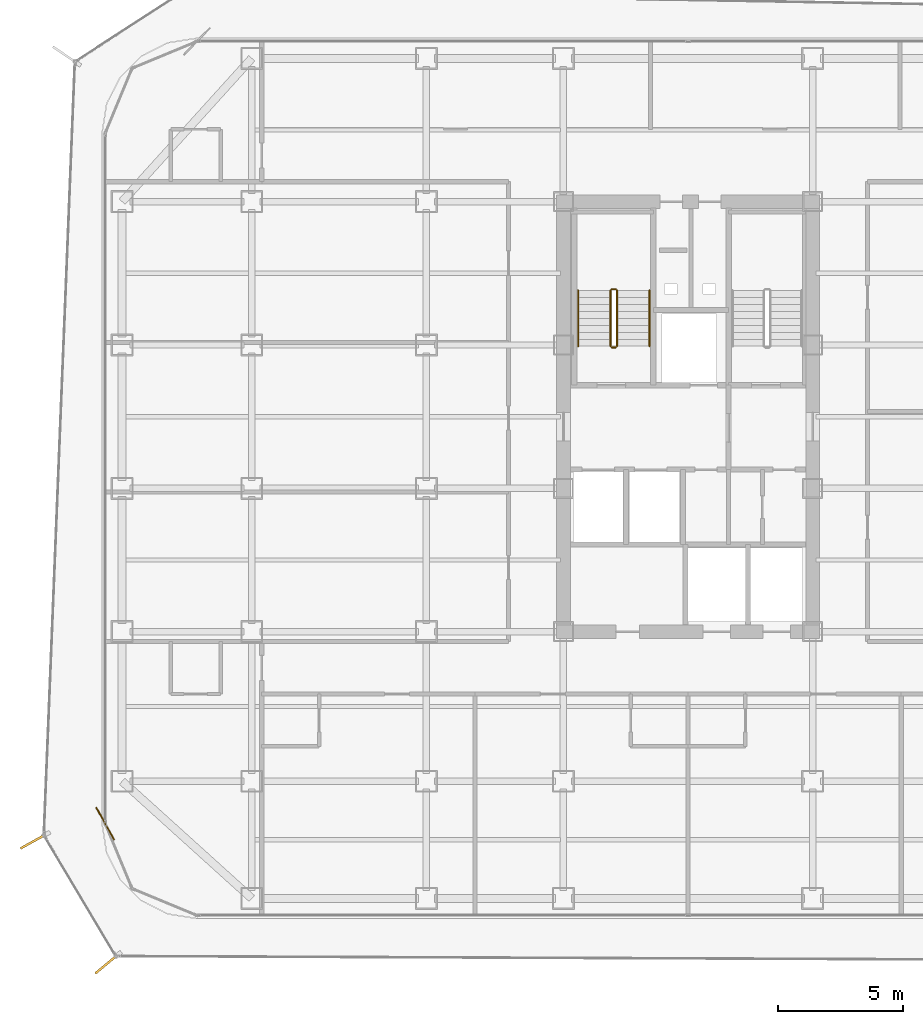
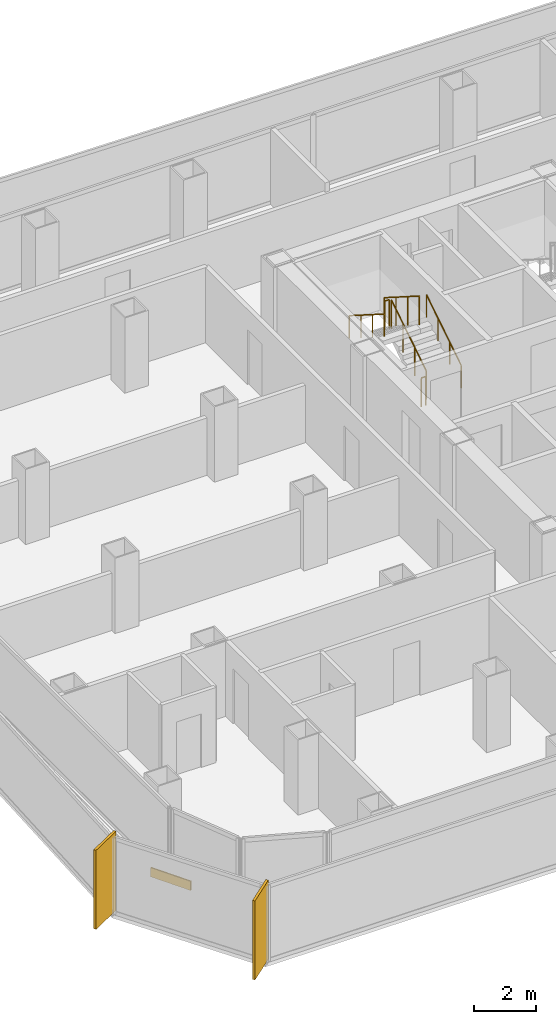
# One storey, part 19 of 21: 6 railings, 2 shading devices, 1 covering.
"""IFC4 building model written with IfcOpenShell, lengths in metres."""

import ifcopenshell
import ifcopenshell.guid

model = None  # the IFC model being written
_history = None  # IfcOwnerHistory: only IFC2X3 demands one
_inside = {}  # id of a spatial element -> (the spatial element, [elements in it])
_under = {}  # id of a project, library or spatial element -> (it, [spatial elements below it])
_declared = {}  # id of a project -> (the project, [libraries it declares])
_typed = {}  # id of a type object -> (the type object, [elements of that type])
_made_of = {}  # id of a material, layer set ... -> (it, [elements and type objects made of it])


def new_model(schema):
    """Start an empty IFC model of exactly this schema.

    Asked for "IFC4X3", IfcOpenShell would pick the latest addendum, in which some entities
    have other attributes; the version numbers below select the first issue.
    IFC2X3 requires an IfcOwnerHistory on every rooted entity: one is made here for all.
    """
    global model, _history
    if schema == "IFC4X3":
        model = ifcopenshell.file(schema_version=(4, 3, 0, 0))
    else:
        model = ifcopenshell.file(schema=schema)
    _inside.clear()
    _under.clear()
    _declared.clear()
    _typed.clear()
    _made_of.clear()
    _history = None
    if model.schema == "IFC2X3":
        org = make("IfcOrganization", Name="unknown")
        user = make(
            "IfcPersonAndOrganization",
            ThePerson=make("IfcPerson", FamilyName="unknown"),
            TheOrganization=org,
        )
        app = make(
            "IfcApplication",
            ApplicationDeveloper=org,
            Version="unknown",
            ApplicationFullName="unknown",
            ApplicationIdentifier="unknown",
        )
        _history = make(
            "IfcOwnerHistory",
            OwningUser=user,
            OwningApplication=app,
            ChangeAction="ADDED",
            CreationDate=0,
        )
    return model


def make(cls, **values):
    """One entity of the class cls with the attributes given. An attribute that is None is left unset."""
    return model.create_entity(
        cls, **{name: value for name, value in values.items() if value is not None}
    )


def rooted(cls, **values):
    """An entity with a GlobalId (a new one), such as an element, a storey or a relation."""
    return make(cls, GlobalId=ifcopenshell.guid.new(), OwnerHistory=_history, **values)


def si_unit(unit_type, name, prefix=None):
    """IfcSIUnit, for example si_unit("LENGTHUNIT", "METRE", prefix="MILLI")."""
    return make("IfcSIUnit", UnitType=unit_type, Prefix=prefix, Name=name)


def assignment(units):
    """IfcUnitAssignment: the units of a project."""
    return None if units is None else make("IfcUnitAssignment", Units=units)


def point(xyz):
    """IfcCartesianPoint."""
    return None if xyz is None else make("IfcCartesianPoint", Coordinates=xyz)


def direction(xyz):
    """IfcDirection."""
    return None if xyz is None else make("IfcDirection", DirectionRatios=xyz)


def frame(location, z_axis=None, x_axis=None):
    """IfcAxis2Placement3D, a coordinate frame: its origin and axes. An axis left out is left unset."""
    return make(
        "IfcAxis2Placement3D",
        Location=point(location),
        Axis=direction(z_axis),
        RefDirection=direction(x_axis),
    )


def frame_2d(location, x_axis=None):
    """IfcAxis2Placement2D, a coordinate frame in the plane: its origin and x axis."""
    return make(
        "IfcAxis2Placement2D", Location=point(location), RefDirection=direction(x_axis)
    )


def origin():
    """The frame at (0, 0, 0) with its axes left unset."""
    return frame((0.0, 0.0, 0.0))


def origin_2d():
    """The frame at (0, 0) in the plane with its x axis left unset."""
    return frame_2d((0.0, 0.0))


def place(relative_to, where):
    """IfcLocalPlacement: puts the frame where relative to a parent placement (None: the world)."""
    return make(
        "IfcLocalPlacement", PlacementRelTo=relative_to, RelativePlacement=where
    )


def context(
    kind, dimensions, precision=None, world=None, true_north=None, identifier=None
):
    """IfcGeometricRepresentationContext, for example the 3D "Model" context."""
    return make(
        "IfcGeometricRepresentationContext",
        ContextIdentifier=identifier,
        ContextType=kind,
        CoordinateSpaceDimension=dimensions,
        Precision=precision,
        WorldCoordinateSystem=world,
        TrueNorth=true_north,
    )


def subcontext(parent, identifier, kind, view, scale=None):
    """IfcGeometricRepresentationSubContext, for example "Body" below "Model"."""
    return make(
        "IfcGeometricRepresentationSubContext",
        ContextIdentifier=identifier,
        ContextType=kind,
        ParentContext=parent,
        TargetScale=scale,
        TargetView=view,
    )


def project(units=None, contexts=None):
    """IfcProject with its units and contexts."""
    return rooted(
        "IfcProject",
        Name="project",
        RepresentationContexts=contexts,
        UnitsInContext=assignment(units),
    )


def spatial(cls, under=None, at=None, **own):
    """A site, building, storey or space (cls), placed at a placement, below another one or the project."""
    s = rooted(cls, ObjectPlacement=at, **own)
    if under is not None:
        _under.setdefault(under.id(), (under, []))[1].append(s)
    return s


def profile(cls, at=None, kind="AREA", **sizes):
    """A parametric profile (cls). Its sizes go by their IFC names, for example OverallWidth=200.0."""
    return make(cls, ProfileType=kind, Position=at, **sizes)


def rectangle(**sizes):
    """IfcRectangleProfileDef."""
    return profile("IfcRectangleProfileDef", **sizes)


def circle(**sizes):
    """IfcCircleProfileDef."""
    return profile("IfcCircleProfileDef", **sizes)


def extrude(swept, where, along, depth):
    """IfcExtrudedAreaSolid: the profile swept, set in the frame where, extruded along a direction by depth."""
    return make(
        "IfcExtrudedAreaSolid",
        SweptArea=swept,
        Position=where,
        ExtrudedDirection=direction(along),
        Depth=depth,
    )


def shape(context_of_items, identifier, shape_type, items):
    """IfcShapeRepresentation: the items that make up one representation, for example the "Body"."""
    return make(
        "IfcShapeRepresentation",
        ContextOfItems=context_of_items,
        RepresentationIdentifier=identifier,
        RepresentationType=shape_type,
        Items=items,
    )


def source(mapping_origin, context_of_items, identifier, shape_type, items):
    """IfcRepresentationMap: a shape defined once, which mapped items show again and again."""
    return make(
        "IfcRepresentationMap",
        MappingOrigin=mapping_origin,
        MappedRepresentation=shape(context_of_items, identifier, shape_type, items),
    )


def transform(
    local_origin,
    x_axis=None,
    y_axis=None,
    z_axis=None,
    scale=None,
    scale2=None,
    scale3=None,
    uniform=True,
):
    """IfcCartesianTransformationOperator3D, or its non-uniform kind. x_axis, y_axis, z_axis: its Axis1, 2, 3."""
    if uniform:
        return make(
            "IfcCartesianTransformationOperator3D",
            Axis1=direction(x_axis),
            Axis2=direction(y_axis),
            LocalOrigin=point(local_origin),
            Scale=scale,
            Axis3=direction(z_axis),
        )
    return make(
        "IfcCartesianTransformationOperator3DnonUniform",
        Axis1=direction(x_axis),
        Axis2=direction(y_axis),
        LocalOrigin=point(local_origin),
        Scale=scale,
        Axis3=direction(z_axis),
        Scale2=scale2,
        Scale3=scale3,
    )


def mapped(mapping_source, mapping_target):
    """IfcMappedItem: shows the shape of a source again, moved by a transform."""
    return make(
        "IfcMappedItem", MappingSource=mapping_source, MappingTarget=mapping_target
    )


def material(Name=None, Category=None):
    """IfcMaterial."""
    return make("IfcMaterial", Name=Name, Category=Category)


def layer(
    of_material, thickness, ventilated=None, Name=None, Category=None, Priority=None
):
    """IfcMaterialLayer: one layer of a wall or slab, of a material (None: an air gap)."""
    return make(
        "IfcMaterialLayer",
        Material=of_material,
        LayerThickness=thickness,
        IsVentilated=ventilated,
        Name=Name,
        Category=Category,
        Priority=Priority,
    )


def layer_set(layers, Name=None):
    """IfcMaterialLayerSet."""
    return make("IfcMaterialLayerSet", MaterialLayers=layers, LayerSetName=Name)


def made_of(thing, what):
    """Note that an element or type object is made of a material, layer set ...; save() writes the relation."""
    if what is not None:
        _made_of.setdefault(what.id(), (what, []))[1].append(thing)
    return thing


def type_object(cls, material=None, **own):
    """A type object (cls), such as IfcWallType, which elements share."""
    return made_of(rooted(cls, **own), material)


def element(
    cls,
    number,
    at=None,
    inside=None,
    cuts=None,
    type_object=None,
    material=None,
    context=None,
    identifier="Body",
    shape_type=None,
    held_by="IfcProductDefinitionShape",
    body=None,
    shapes=None,
    **own,
):
    """One element of the class cls, such as IfcWall. Its Tag is "e" and its number.

    at: its placement. inside: the storey or other place that contains it. cuts: it is an
    opening in that element (IfcRelVoidsElement). A single representation is given by context,
    identifier, shape_type and body (its items); several are given by shapes. held_by: the class
    of the entity that holds the representations. save() writes the other relations.
    """
    e = rooted(cls, Tag="e%d" % number, ObjectPlacement=at, **own)
    if body is not None:
        shapes = [shape(context, identifier, shape_type, body)]
    if shapes is not None:
        e.Representation = make(held_by, Representations=shapes)
    if inside is not None:
        _inside.setdefault(inside.id(), (inside, []))[1].append(e)
    if cuts is not None:
        rooted(
            "IfcRelVoidsElement", RelatingBuildingElement=cuts, RelatedOpeningElement=e
        )
    if type_object is not None:
        _typed.setdefault(type_object.id(), (type_object, []))[1].append(e)
    return made_of(e, material)


def aggregate(whole, parts):
    """IfcRelAggregates: a whole, such as a stair, and the parts it consists of."""
    return rooted("IfcRelAggregates", RelatingObject=whole, RelatedObjects=parts)


def save(model, path):
    """Write the relations noted so far, then the file.

    IfcRelAggregates (storeys below a building ...), IfcRelContainedInSpatialStructure (elements
    in a storey), IfcRelDefinesByType, IfcRelAssociatesMaterial and IfcRelDeclares: one each for
    every whole, place, type object, material and project.
    """
    for whole, parts in _under.values():
        aggregate(whole, parts)
    for where, things in _inside.values():
        rooted(
            "IfcRelContainedInSpatialStructure",
            RelatedElements=things,
            RelatingStructure=where,
        )
    for kind, things in _typed.values():
        rooted("IfcRelDefinesByType", RelatedObjects=things, RelatingType=kind)
    for what, things in _made_of.values():
        rooted("IfcRelAssociatesMaterial", RelatedObjects=things, RelatingMaterial=what)
    for by, libraries in _declared.values():
        rooted("IfcRelDeclares", RelatingContext=by, RelatedDefinitions=libraries)
    model.write(path)


model = new_model("IFC4")

# Units and contexts
model_context = context("Model", 3, precision=1e-05, world=origin(), true_north=direction((0.0, 1.0)))
body_context = subcontext(model_context, "Body", "Model", "MODEL_VIEW")
ifc_project = project(units=[si_unit("LENGTHUNIT", "METRE"), si_unit("AREAUNIT", "SQUARE_METRE"), si_unit("VOLUMEUNIT", "CUBIC_METRE"), si_unit("PLANEANGLEUNIT", "RADIAN"), si_unit("MASSUNIT", "GRAM", prefix="KILO")], contexts=[model_context])

# Site, building, storey
site_placement = place(None, origin())
site = spatial("IfcSite", under=ifc_project, at=site_placement, CompositionType="ELEMENT")
building_placement = place(site_placement, origin())
building = spatial("IfcBuilding", under=site, at=building_placement, Name="Kolveth Station Tower", CompositionType="ELEMENT")
storey_placement = place(building_placement, frame((0.0, 0.0, 108.699951171875)))
storey = spatial("IfcBuildingStorey", under=building, at=storey_placement, Name="L29", CompositionType="ELEMENT", Elevation=108.699951171875)

# Railings
ifc_material_1 = material(Name="Painted Steel S355 balustrade", Category="steel")
railing_type_1 = type_object("IfcRailingType", Name="Guard_GR2", PredefinedType="BALUSTRADE", material=ifc_material_1)
railing_1_placement = place(storey_placement, frame((20.64990234375, 22.949951171875, 0.177734375)))
element("IfcRailing", 1, at=railing_1_placement, inside=storey, type_object=railing_type_1, Name="L29 ST1 stair guard 1", PredefinedType="BALUSTRADE", context=body_context, shape_type="SweptSolid", body=[
    extrude(circle(Radius=0.02392578125, at=origin_2d()), frame((0.0, 0.0, 1.1259765625), z_axis=(0.0, 0.84418770128, 0.536047689118), x_axis=(-1.0, 0.0, 0.0)), (0.0, 0.0, 1.0), 2.6533203125),
    extrude(circle(Radius=0.02099609375, at=origin_2d()), origin(), (0.0, 0.0, 1.0), 1.101806640625),
    extrude(circle(Radius=0.02099609375, at=origin_2d()), frame((0.0, 0.74658203125, 0.47412109375)), (0.0, 0.0, 1.0), 1.101806640625),
    extrude(circle(Radius=0.02099609375, at=origin_2d()), frame((0.0, 1.493408203125, 0.9482421875)), (0.0, 0.0, 1.0), 1.101806640625),
    extrude(circle(Radius=0.02099609375, at=origin_2d()), frame((0.0, 2.239990234375, 1.42236328125)), (0.0, 0.0, 1.0), 1.101806640625),
])
railing_2_placement = place(storey_placement, frame((20.60009765625, 25.239990234375, 1.60009765625)))
element("IfcRailing", 2, at=railing_2_placement, inside=storey, type_object=railing_type_1, Name="L29 ST1 stair guard 2", PredefinedType="BALUSTRADE", context=body_context, shape_type="SweptSolid", body=[
    extrude(circle(Radius=0.02392578125, at=origin_2d()), frame((0.0, 0.0, 1.1259765625), z_axis=(-1.0, 0.0, 0.0), x_axis=(0.0, -1.0, 0.0)), (0.0, 0.0, 1.0), 0.16015625),
    extrude(circle(Radius=0.02099609375, at=origin_2d()), origin(), (0.0, 0.0, 1.0), 1.101806640625),
    extrude(circle(Radius=0.02099609375, at=origin_2d()), frame((-0.16015625, 0.0, 0.0)), (0.0, 0.0, 1.0), 1.101806640625),
])
railing_3_placement = place(storey_placement, frame((20.389892578125, 25.18994140625, 1.77783203125)))
element("IfcRailing", 3, at=railing_3_placement, inside=storey, type_object=railing_type_1, Name="L29 ST1 stair guard 3", PredefinedType="BALUSTRADE", context=body_context, shape_type="SweptSolid", body=[
    extrude(circle(Radius=0.02392578125, at=origin_2d()), frame((0.0, 0.0, 1.1259765625), z_axis=(0.0, -0.8442293374, 0.53598211339), x_axis=(1.0, 0.0, 0.0)), (0.0, 0.0, 1.0), 2.6533203125),
    extrude(circle(Radius=0.02099609375, at=origin_2d()), origin(), (0.0, 0.0, 1.0), 1.101806640625),
    extrude(circle(Radius=0.02099609375, at=origin_2d()), frame((0.0, -0.74658203125, 0.47412109375)), (0.0, 0.0, 1.0), 1.101806640625),
    extrude(circle(Radius=0.02099609375, at=origin_2d()), frame((0.0, -1.493408203125, 0.947998046875)), (0.0, 0.0, 1.0), 1.101806640625),
    extrude(circle(Radius=0.02099609375, at=origin_2d()), frame((0.0, -2.239990234375, 1.422119140625)), (0.0, 0.0, 1.0), 1.101806640625),
])
railing_4_placement = place(storey_placement, frame((20.60009765625, 22.89990234375, 0.0)))
element("IfcRailing", 4, at=railing_4_placement, inside=storey, type_object=railing_type_1, Name="L29 ST1 stair guard 4", PredefinedType="BALUSTRADE", context=body_context, shape_type="SweptSolid", body=[
    extrude(circle(Radius=0.02392578125, at=origin_2d()), frame((0.0, 0.0, 1.1259765625), z_axis=(-1.0, 0.0, 0.0), x_axis=(0.0, -1.0, 0.0)), (0.0, 0.0, 1.0), 0.16015625),
    extrude(circle(Radius=0.02099609375, at=origin_2d()), origin(), (0.0, 0.0, 1.0), 1.101806640625),
    extrude(circle(Radius=0.02099609375, at=origin_2d()), frame((-0.16015625, 0.0, 0.0)), (0.0, 0.0, 1.0), 1.101806640625),
])
ifc_material_2 = material(Name="Brushed stainless steel", Category="steel")
railing_type_2 = type_object("IfcRailingType", Name="Handrail_HR1", PredefinedType="HANDRAIL", material=ifc_material_2)
railing_5_placement = place(storey_placement, frame((21.949951171875, 22.949951171875, 0.177734375)))
element("IfcRailing", 5, at=railing_5_placement, inside=storey, type_object=railing_type_2, Name="L29 ST1 stair handrail 1", PredefinedType="HANDRAIL", context=body_context, shape_type="SweptSolid", body=[
    extrude(circle(Radius=0.02392578125, at=origin_2d()), frame((0.0, 0.0, 0.8759765625), z_axis=(0.0, 0.84418770128, 0.536047689118), x_axis=(-1.0, 0.0, 0.0)), (0.0, 0.0, 1.0), 2.6533203125),
    extrude(circle(Radius=0.02099609375, at=origin_2d()), origin(), (0.0, 0.0, 1.0), 0.851806640625),
    extrude(circle(Radius=0.02099609375, at=origin_2d()), frame((0.0, 0.74658203125, 0.47412109375)), (0.0, 0.0, 1.0), 0.851806640625),
    extrude(circle(Radius=0.02099609375, at=origin_2d()), frame((0.0, 1.493408203125, 0.9482421875)), (0.0, 0.0, 1.0), 0.851806640625),
    extrude(circle(Radius=0.02099609375, at=origin_2d()), frame((0.0, 2.239990234375, 1.42236328125)), (0.0, 0.0, 1.0), 0.851806640625),
])
railing_6_placement = place(storey_placement, frame((19.090087890625, 25.18994140625, 1.77783203125)))
element("IfcRailing", 6, at=railing_6_placement, inside=storey, type_object=railing_type_2, Name="L29 ST1 stair handrail 2", PredefinedType="HANDRAIL", context=body_context, shape_type="SweptSolid", body=[
    extrude(circle(Radius=0.02392578125, at=origin_2d()), frame((0.0, 0.0, 0.8759765625), z_axis=(0.0, -0.8442293374, 0.53598211339), x_axis=(1.0, 0.0, 0.0)), (0.0, 0.0, 1.0), 2.6533203125),
    extrude(circle(Radius=0.02099609375, at=origin_2d()), origin(), (0.0, 0.0, 1.0), 0.851806640625),
    extrude(circle(Radius=0.02099609375, at=origin_2d()), frame((0.0, -0.74658203125, 0.47412109375)), (0.0, 0.0, 1.0), 0.851806640625),
    extrude(circle(Radius=0.02099609375, at=origin_2d()), frame((0.0, -1.493408203125, 0.947998046875)), (0.0, 0.0, 1.0), 0.851806640625),
    extrude(circle(Radius=0.02099609375, at=origin_2d()), frame((0.0, -2.239990234375, 1.422119140625)), (0.0, 0.0, 1.0), 0.851806640625),
])

# Shading devices
ifc_material_3 = material(Name="Black anodized aluminium 6063-T6", Category="aluminium")
shading_device_type = type_object("IfcShadingDeviceType", Name="FIN_VF1", PredefinedType="USERDEFINED", material=ifc_material_3)
shared_shape_1 = source(origin(), body_context, "Body", "SweptSolid", [
    extrude(rectangle(XDim=1.25, YDim=0.090087890625, at=origin_2d()), origin(), (0.0, 0.0, 1.0), 3.10009765625),
])
for number, where, z_axis, x_axis, name in (
    (7, (-2.72900390625, 3.10791015625, 0.0), (0.0, 0.0, 1.0), (-0.874535078577, -0.484962262797, 0.0), "L29 Dark-Aluminium Solar Fin 7"),
    (8, (0.205078125, -1.806884765625, 0.0), (0.0, 0.0, 1.0), (-0.76750090888, -0.641047856925, 0.0), "L29 Dark-Aluminium Solar Fin 8"),
):
    element("IfcShadingDevice", number, at=place(storey_placement, frame(where, z_axis=z_axis, x_axis=x_axis)), inside=storey, type_object=shading_device_type, Name=name, ObjectType="FIN", PredefinedType="USERDEFINED", context=body_context, shape_type="MappedRepresentation", body=[
        mapped(shared_shape_1, transform((0.0, 0.0, 0.0), x_axis=(1.0, 0.0, 0.0), y_axis=(0.0, 1.0, 0.0), z_axis=(0.0, 0.0, 1.0), scale=1.0)),
    ])

# Covering
ifc_material_4 = material(Name="Charcoal anodized aluminium spandrel cladding", Category="aluminium")
ifc_layer = layer(ifc_material_4, 0.044921875)
ifc_layer_set = layer_set([ifc_layer], Name="Charcoal anodized aluminium spandrel cladding")
covering_type = type_object("IfcCoveringType", Name="Clad_CD1", PredefinedType="CLADDING", material=ifc_layer_set)
shared_shape_2 = source(origin(), body_context, "Body", "SweptSolid", [
    extrude(rectangle(XDim=1.5, YDim=0.044921875, at=origin_2d()), origin(), (0.0, 0.0, 1.0), 0.360107421875),
])
covering_placement = place(storey_placement, frame((0.1201171875, 3.800048828125, 0.0), z_axis=(0.0, 0.0, 1.0), x_axis=(0.484962262797, -0.874535078577, 0.0)))
element("IfcCovering", 9, at=covering_placement, inside=storey, type_object=covering_type, Name="L29 Spandrel Edge Cladding 7", PredefinedType="CLADDING", context=body_context, shape_type="MappedRepresentation", body=[
    mapped(shared_shape_2, transform((0.0, 0.0, 0.0), x_axis=(1.0, 0.0, 0.0), y_axis=(0.0, 1.0, 0.0), z_axis=(0.0, 0.0, 1.0), scale=1.0)),
])

save(model, "model.ifc")
